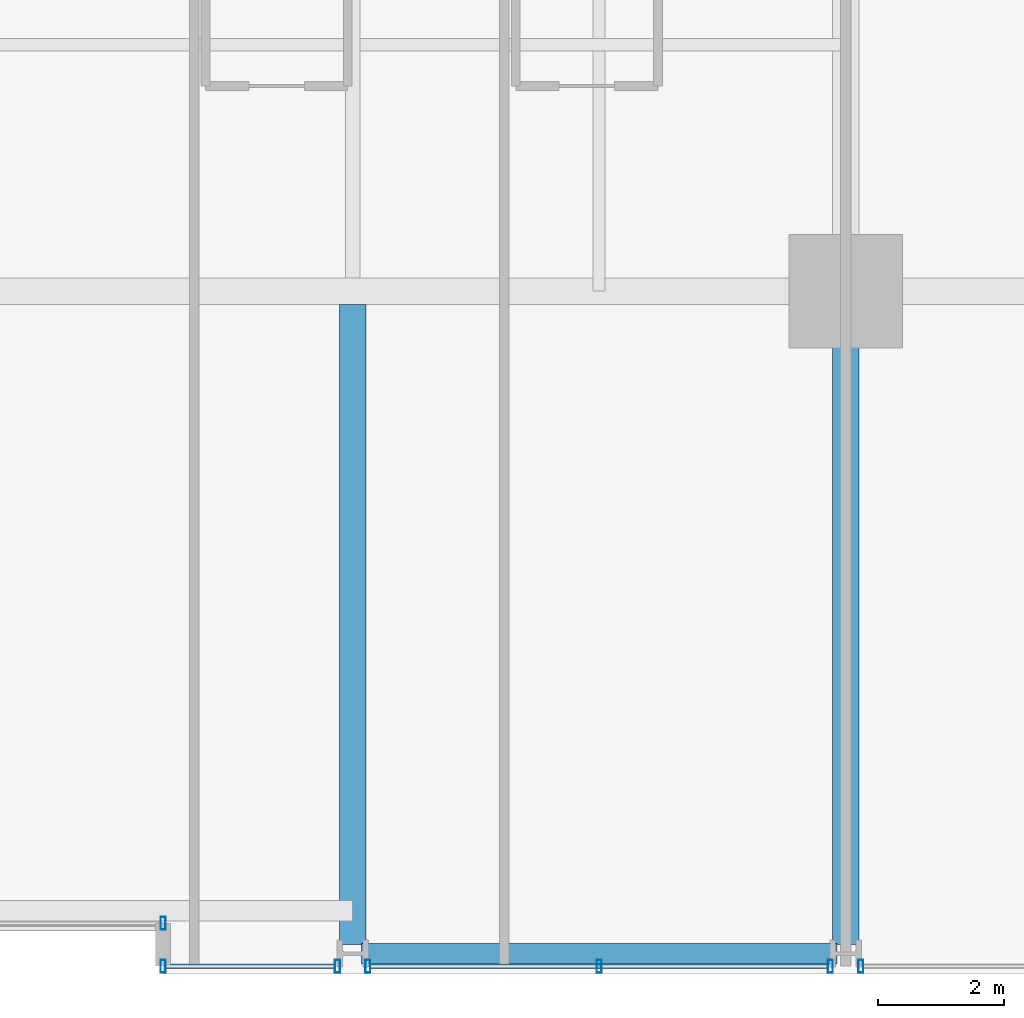
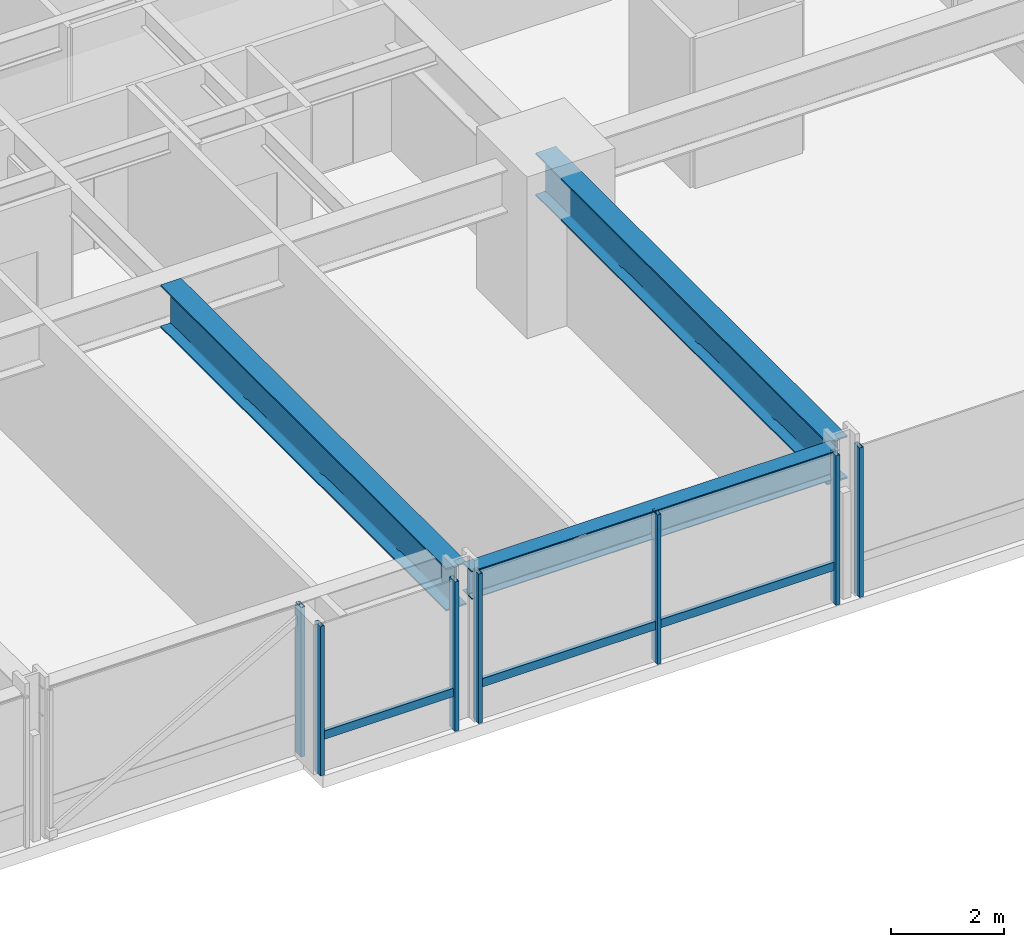
# One storey, part 11 of 39: 9 members, 3 beams, 4 elements without a shape of their own.
"""IFC4 building model written with IfcOpenShell, lengths in metres."""

from ifc_helpers import new_model, si_unit, direction, frame, origin, origin_2d, place, context, subcontext, project, spatial, hollow_rectangle, i_section, extrude, material, layer, layer_set, material_profile, profile_set, type_object, element, aggregate, save


model = new_model("IFC4")

# Units and contexts
model_context = context("Model", 3, precision=1e-05, world=origin(), true_north=direction((0.0, 1.0)))
body_context = subcontext(model_context, "Body", "Model", "MODEL_VIEW")
ifc_project = project(units=[si_unit("LENGTHUNIT", "METRE"), si_unit("AREAUNIT", "SQUARE_METRE"), si_unit("VOLUMEUNIT", "CUBIC_METRE"), si_unit("PLANEANGLEUNIT", "RADIAN"), si_unit("MASSUNIT", "GRAM", prefix="KILO")], contexts=[model_context])

# Site, building, storey
site_placement = place(None, origin())
site = spatial("IfcSite", under=ifc_project, at=site_placement, CompositionType="ELEMENT")
building_placement = place(site_placement, origin())
building = spatial("IfcBuilding", under=site, at=building_placement, Name="Drelvath Grand Hotel", CompositionType="ELEMENT")
storey_placement = place(building_placement, frame((0.0, 0.0, 36.699951171875)))
storey = spatial("IfcBuildingStorey", under=building, at=storey_placement, Name="L07", CompositionType="ELEMENT", Elevation=36.699951171875)

# Curtain wall, member
ifc_material_1 = material(Name="Warm Bronze Anodised Aluminium Frame", Category="aluminium")
ifc_layer = layer(ifc_material_1, 0.199951171875)
ifc_layer_set = layer_set([ifc_layer], Name="Warm Bronze Anodised Aluminium Frame")
curtain_wall_type = type_object("IfcCurtainWallType", Name="Stick Curtain Wall CW-02 Warm Bronze Low-Rise", PredefinedType="NOTDEFINED", material=ifc_layer_set)
curtain_wall_1_placement = place(storey_placement, origin())
curtain_wall_1 = element("IfcCurtainWall", 1, at=curtain_wall_1_placement, inside=storey, type_object=curtain_wall_type, Name="L07 CW-02 Curtain Wall CW02-L07-SE1", PredefinedType="NOTDEFINED")
ifc_material_profile_1 = material_profile(ifc_material_1, hollow_rectangle(XDim=0.074951171875, YDim=0.179931640625, WallThickness=0.0048828125, at=origin_2d()), Name="HSS180X75X5")
ifc_profile_set_1 = profile_set([ifc_material_profile_1], Name="Warm Bronze Anodised Aluminium Frame")
member_type_1 = type_object("IfcMemberType", Name="Curtain Wall Horizontal Transom CW-02 HSS180X75X5", PredefinedType="USERDEFINED", material=ifc_profile_set_1)
member_1_placement = place(storey_placement, frame((8.119140625, 0.1201171875, 0.81005859375), z_axis=(-1.0, 0.0, 0.0), x_axis=(0.0, -1.0, 0.0)))
member_1 = element("IfcMember", 2, at=member_1_placement, type_object=member_type_1, Name="CW02-L07-SE1 Sill Transom", ObjectType="TRANSOM", PredefinedType="USERDEFINED", context=body_context, shape_type="SweptSolid", body=[
    extrude(hollow_rectangle(XDim=0.074951171875, YDim=0.179931640625, WallThickness=0.0048828125, at=origin_2d()), origin(), (0.0, 0.0, 1.0), 2.67919921875),
])

curtain_wall_2_placement = place(storey_placement, origin())
curtain_wall_2 = element("IfcCurtainWall", 3, at=curtain_wall_2_placement, inside=storey, type_object=curtain_wall_type, Name="L07 CW-02 Curtain Wall CW02-L07-SE2", PredefinedType="NOTDEFINED")
member_2_placement = place(storey_placement, frame((15.919189453125, 0.1201171875, 0.81005859375), z_axis=(-1.0, 0.0, 0.0), x_axis=(0.0, -1.0, 0.0)))
member_2 = element("IfcMember", 4, at=member_2_placement, type_object=member_type_1, Name="CW02-L07-SE2 Sill Transom", ObjectType="TRANSOM", PredefinedType="USERDEFINED", context=body_context, shape_type="SweptSolid", body=[
    extrude(hollow_rectangle(XDim=0.074951171875, YDim=0.179931640625, WallThickness=0.0048828125, at=origin_2d()), origin(), (0.0, 0.0, 1.0), 7.23828125),
])

# Member
ifc_material_profile_2 = material_profile(ifc_material_1, hollow_rectangle(XDim=0.080078125, YDim=0.199951171875, WallThickness=0.0048828125, at=origin_2d()), Name="HSS200X80X5")
ifc_profile_set_2 = profile_set([ifc_material_profile_2], Name="Warm Bronze Anodised Aluminium Frame")
member_type_2 = type_object("IfcMemberType", Name="Curtain Wall Vertical Mullion CW-02 HSS200X80X5", PredefinedType="MULLION", material=ifc_profile_set_2)
member_3_placement = place(storey_placement, frame((8.1591796875, 0.1201171875, 0.0), z_axis=(0.0, 0.0, 1.0), x_axis=(1.0, 0.0, 0.0)))
member_3 = element("IfcMember", 5, at=member_3_placement, type_object=member_type_2, Name="CW02-L07-SE1 Mullion 1", PredefinedType="MULLION", context=body_context, shape_type="SweptSolid", body=[
    extrude(hollow_rectangle(XDim=0.080078125, YDim=0.199951171875, WallThickness=0.0048828125, at=origin_2d()), origin(), (0.0, 0.0, 1.0), 3.239990234375),
])

member_4_placement = place(storey_placement, frame((5.39990234375, 0.1201171875, 0.0), z_axis=(0.0, 0.0, 1.0), x_axis=(1.0, 0.0, 0.0)))
member_4 = element("IfcMember", 6, at=member_4_placement, type_object=member_type_2, Name="CW02-L07-SE1 Mullion 2", PredefinedType="MULLION", context=body_context, shape_type="SweptSolid", body=[
    extrude(hollow_rectangle(XDim=0.080078125, YDim=0.199951171875, WallThickness=0.0048828125, at=origin_2d()), origin(), (0.0, 0.0, 1.0), 3.239990234375),
])

aggregate(curtain_wall_1, [member_3, member_4, member_1])

member_5_placement = place(storey_placement, frame((15.958984375, 0.1201171875, 0.0), z_axis=(0.0, 0.0, 1.0), x_axis=(1.0, 0.0, 0.0)))
member_5 = element("IfcMember", 7, at=member_5_placement, type_object=member_type_2, Name="CW02-L07-SE2 Mullion 1", PredefinedType="MULLION", context=body_context, shape_type="SweptSolid", body=[
    extrude(hollow_rectangle(XDim=0.080078125, YDim=0.199951171875, WallThickness=0.0048828125, at=origin_2d()), origin(), (0.0, 0.0, 1.0), 3.239990234375),
])

member_6_placement = place(storey_placement, frame((12.300048828125, 0.1201171875, 0.0), z_axis=(0.0, 0.0, 1.0), x_axis=(1.0, 0.0, 0.0)))
member_6 = element("IfcMember", 8, at=member_6_placement, type_object=member_type_2, Name="CW02-L07-SE2 Mullion 2", PredefinedType="MULLION", context=body_context, shape_type="SweptSolid", body=[
    extrude(hollow_rectangle(XDim=0.080078125, YDim=0.199951171875, WallThickness=0.0048828125, at=origin_2d()), origin(), (0.0, 0.0, 1.0), 3.239990234375),
])

member_7_placement = place(storey_placement, frame((8.640869140625, 0.1201171875, 0.0), z_axis=(0.0, 0.0, 1.0), x_axis=(1.0, 0.0, 0.0)))
member_7 = element("IfcMember", 9, at=member_7_placement, type_object=member_type_2, Name="CW02-L07-SE2 Mullion 3", PredefinedType="MULLION", context=body_context, shape_type="SweptSolid", body=[
    extrude(hollow_rectangle(XDim=0.080078125, YDim=0.199951171875, WallThickness=0.0048828125, at=origin_2d()), origin(), (0.0, 0.0, 1.0), 3.239990234375),
])

aggregate(curtain_wall_2, [member_5, member_6, member_7, member_2])

# Curtain wall, member
curtain_wall_3_placement = place(storey_placement, origin())
curtain_wall_3 = element("IfcCurtainWall", 10, at=curtain_wall_3_placement, inside=storey, type_object=curtain_wall_type, Name="L07 CW-02 Curtain Wall CW02-L07-SE3", PredefinedType="NOTDEFINED")
member_8_placement = place(storey_placement, frame((16.44091796875, 0.1201171875, 0.0), z_axis=(0.0, 0.0, 1.0), x_axis=(1.0, 0.0, 0.0)))
member_8 = element("IfcMember", 11, at=member_8_placement, type_object=member_type_2, Name="CW02-L07-SE3 Mullion 3", PredefinedType="MULLION", context=body_context, shape_type="SweptSolid", body=[
    extrude(hollow_rectangle(XDim=0.080078125, YDim=0.199951171875, WallThickness=0.0048828125, at=origin_2d()), origin(), (0.0, 0.0, 1.0), 3.239990234375),
])
aggregate(curtain_wall_3, [member_8])

curtain_wall_4_placement = place(storey_placement, origin())
curtain_wall_4 = element("IfcCurtainWall", 12, at=curtain_wall_4_placement, inside=storey, type_object=curtain_wall_type, Name="L07 CW-02 Curtain Wall CW02-L07-SM2", PredefinedType="NOTDEFINED")
member_9_placement = place(storey_placement, frame((5.39990234375, 0.800048828125, 0.0), z_axis=(0.0, 0.0, 1.0), x_axis=(1.0, 0.0, 0.0)))
member_9 = element("IfcMember", 13, at=member_9_placement, type_object=member_type_2, Name="CW02-L07-SM2 Mullion 1", PredefinedType="MULLION", context=body_context, shape_type="SweptSolid", body=[
    extrude(hollow_rectangle(XDim=0.080078125, YDim=0.199951171875, WallThickness=0.0048828125, at=origin_2d()), origin(), (0.0, 0.0, 1.0), 3.239990234375),
])
aggregate(curtain_wall_4, [member_9])

# Beams
ifc_material_2 = material(Name="Steel ASTM A992 Gr 50", Category="steel")
ifc_material_profile_3 = material_profile(ifc_material_2, i_section(OverallWidth=0.323974609375, OverallDepth=0.611083984375, WebThickness=0.0126953125, FlangeThickness=0.01904296875, FilletRadius=0.02197265625, at=origin_2d()), Name="W24X104")
ifc_profile_set_3 = profile_set([ifc_material_profile_3], Name="Steel ASTM A992 Gr 50")
beam_type_1 = type_object("IfcBeamType", Name="Perimeter Spandrel Beam W24X104", PredefinedType="SPANDREL", material=ifc_profile_set_3)
beam_1_placement = place(storey_placement, frame((8.5400390625, 0.320068359375, 2.9345703125), z_axis=(1.0, 0.0, 0.0), x_axis=(0.0, 1.0, 0.0)))
element("IfcBeam", 14, at=beam_1_placement, inside=storey, type_object=beam_type_1, Name="L07 Spandrel South E", PredefinedType="SPANDREL", context=body_context, shape_type="SweptSolid", body=[
    extrude(i_section(OverallWidth=0.323974609375, OverallDepth=0.611083984375, WebThickness=0.0126953125, FlangeThickness=0.01904296875, FilletRadius=0.02197265625, at=origin_2d()), origin(), (0.0, 0.0, 1.0), 7.52001953125),
])
ifc_material_profile_4 = material_profile(ifc_material_2, i_section(OverallWidth=0.418212890625, OverallDepth=0.926513671875, WebThickness=0.019287109375, FlangeThickness=0.031982421875, FilletRadius=0.028076171875, at=origin_2d()), Name="W36X231")
ifc_profile_set_4 = profile_set([ifc_material_profile_4], Name="Steel ASTM A992 Gr 50")
beam_type_2 = type_object("IfcBeamType", Name="Primary Floor Girder W36X231", PredefinedType="BEAM", material=ifc_profile_set_4)
beam_2_placement = place(storey_placement, frame((16.199951171875, 0.4599609375, 2.77685546875), z_axis=(0.0, 1.0, 0.0), x_axis=(-1.0, 0.0, 0.0)))
element("IfcBeam", 15, at=beam_2_placement, inside=storey, type_object=beam_type_2, Name="L07 South Grid Girder 7", PredefinedType="BEAM", context=body_context, shape_type="SweptSolid", body=[
    extrude(i_section(OverallWidth=0.418212890625, OverallDepth=0.926513671875, WebThickness=0.019287109375, FlangeThickness=0.031982421875, FilletRadius=0.028076171875, at=origin_2d()), origin(), (0.0, 0.0, 1.0), 10.340087890625),
])
beam_3_placement = place(storey_placement, frame((8.39990234375, 0.4599609375, 2.77685546875), z_axis=(0.0, 1.0, 0.0), x_axis=(-1.0, 0.0, 0.0)))
element("IfcBeam", 16, at=beam_3_placement, inside=storey, type_object=beam_type_2, Name="L07 South Wing Girder 6", PredefinedType="BEAM", context=body_context, shape_type="SweptSolid", body=[
    extrude(i_section(OverallWidth=0.418212890625, OverallDepth=0.926513671875, WebThickness=0.019287109375, FlangeThickness=0.031982421875, FilletRadius=0.028076171875, at=origin_2d()), origin(), (0.0, 0.0, 1.0), 10.130859375),
])

save(model, "model.ifc")
